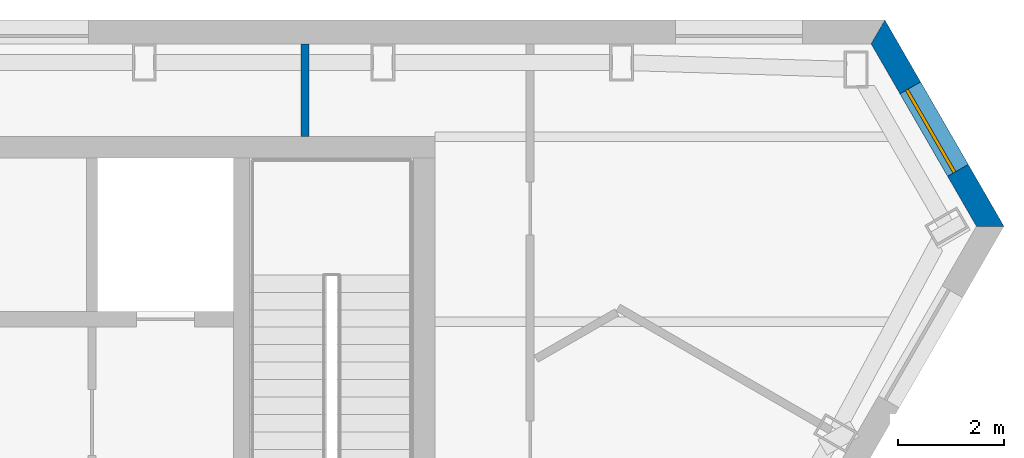
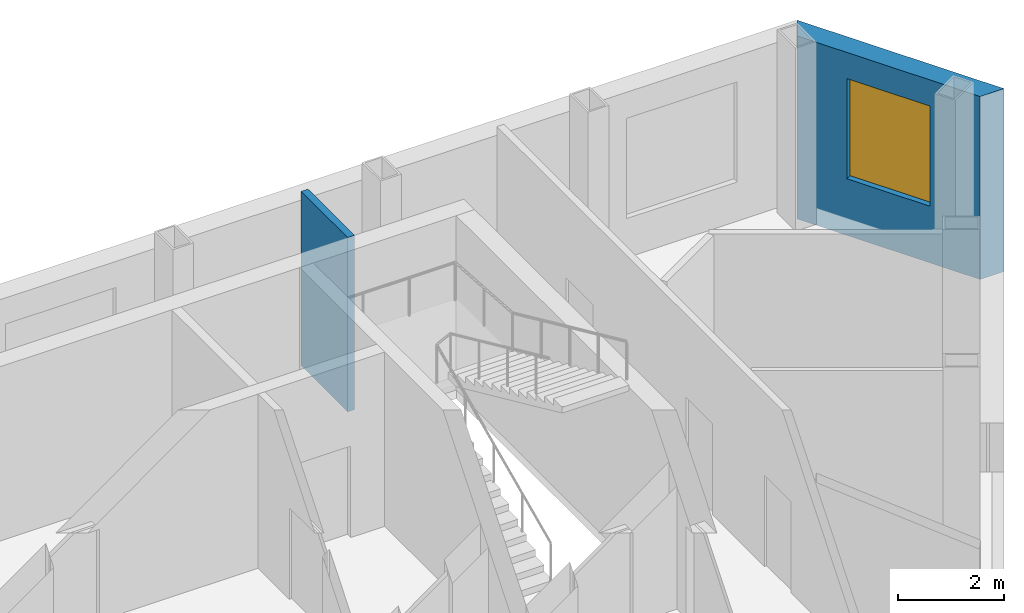
# One storey, part 8 of 11: 2 walls, 1 window, 1 opening.
"""IFC4 building model written with IfcOpenShell, lengths in metres."""

from ifc_helpers import new_model, si_unit, direction, frame, frame_2d, origin, place, context, subcontext, project, spatial, polyline, rectangle, outline, extrude, material, layer, layer_set, type_object, element, fill, save


model = new_model("IFC4")

# Units and contexts
model_context = context("Model", 3, precision=1e-05, world=origin(), true_north=direction((0.0, 1.0)))
body_context = subcontext(model_context, "Body", "Model", "MODEL_VIEW")
ifc_project = project(units=[si_unit("LENGTHUNIT", "METRE"), si_unit("AREAUNIT", "SQUARE_METRE"), si_unit("VOLUMEUNIT", "CUBIC_METRE"), si_unit("PLANEANGLEUNIT", "RADIAN"), si_unit("MASSUNIT", "GRAM", prefix="KILO")], contexts=[model_context])

# Site, building, storey
site_placement = place(None, origin())
site = spatial("IfcSite", under=ifc_project, at=site_placement, CompositionType="ELEMENT")
building_placement = place(site_placement, origin())
building = spatial("IfcBuilding", under=site, at=building_placement, Name="Njiva Tower", CompositionType="ELEMENT")
storey_placement = place(building_placement, frame((0.0, 0.0, 312.6)))
storey = spatial("IfcBuildingStorey", under=building, at=storey_placement, Name="L71", CompositionType="ELEMENT", Elevation=312.6)

# Wall
ifc_material_1 = material(Name="Gypsum board on steel studs", Category="gypsum")
ifc_layer_1 = layer(ifc_material_1, 0.15)
ifc_layer_set_1 = layer_set([ifc_layer_1], Name="Gypsum board on steel studs")
wall_type_1 = type_object("IfcWallType", Name="WT21 Compartment wall 150", PredefinedType="PARTITIONING", material=ifc_layer_set_1)
wall_1_placement = place(storey_placement, frame((12.05, 18.0, 0.0), z_axis=(0.0, 0.0, 1.0), x_axis=(0.0, 1.0, 0.0)))
element("IfcWall", 1, at=wall_1_placement, inside=storey, type_object=wall_type_1, Name="Partition S24-P025", PredefinedType="PARTITIONING", context=body_context, shape_type="SweptSolid", body=[
    extrude(rectangle(XDim=1.75, YDim=0.15, at=frame_2d((0.875, 0.0))), origin(), (0.0, 0.0, 1.0), 4.0),
])

# Wall, opening, window
ifc_material_2 = material(Name="Brick masonry, buff", Category="masonry")
ifc_layer_2 = layer(ifc_material_2, 0.45)
ifc_layer_set_2 = layer_set([ifc_layer_2], Name="Brick masonry, buff")
wall_type_2 = type_object("IfcWallType", Name="WT94 Brick pier and spandrel wall 450, buff", PredefinedType="SOLIDWALL", material=ifc_layer_set_2)
wall_2_placement = place(storey_placement, frame((24.9889, 16.3051, -0.4), z_axis=(0.0, 0.0, 1.0), x_axis=(-0.500002136082, 0.866024170514, 0.0)))
wall_2 = element("IfcWall", 2, at=wall_2_placement, inside=storey, type_object=wall_type_2, Name="Facade wall NE", PredefinedType="SOLIDWALL", context=body_context, shape_type="SweptSolid", body=[
    extrude(outline(polyline([(-0.1299, -0.225), (4.3701, -0.225), (4.1103, 0.225), (0.1299, 0.225), (-0.1299, -0.225)])), origin(), (0.0, 0.0, 1.0), 4.2),
])
opening_placement = place(wall_2_placement, frame((1.2201, 0.0, 1.3)))
opening = element("IfcOpeningElement", 3, at=opening_placement, cuts=wall_2, Name="Opening S24-W27", PredefinedType="OPENING", context=body_context, shape_type="SweptSolid", body=[
    extrude(rectangle(XDim=1.8, YDim=2.3, at=frame_2d((0.9, 1.15))), frame((0.0, 0.235, 0.0), z_axis=(0.0, -1.0, 0.0), x_axis=(1.0, 0.0, 0.0)), (0.0, 0.0, 1.0), 0.47),
])
ifc_material_3 = material(Name="Clear glazing in aluminium frame", Category="aluminium")
window_type = type_object("IfcWindowType", Name="W95 Deep-set window 1800x2300", PartitioningType="SINGLE_PANEL", PredefinedType="WINDOW", material=ifc_material_3)
window_placement = place(opening_placement, origin())
window = element("IfcWindow", 4, at=window_placement, inside=storey, type_object=window_type, Name="Window", OverallHeight=2.3, OverallWidth=1.8, PartitioningType="SINGLE_PANEL", PredefinedType="WINDOW", context=body_context, shape_type="SweptSolid", body=[
    extrude(rectangle(XDim=1.8, YDim=2.3, at=frame_2d((0.9, 1.15))), frame((0.0, 0.105, 0.0), z_axis=(0.0, -1.0, 0.0), x_axis=(1.0, 0.0, 0.0)), (0.0, 0.0, 1.0), 0.06),
])
fill(opening, window)

save(model, "model.ifc")
